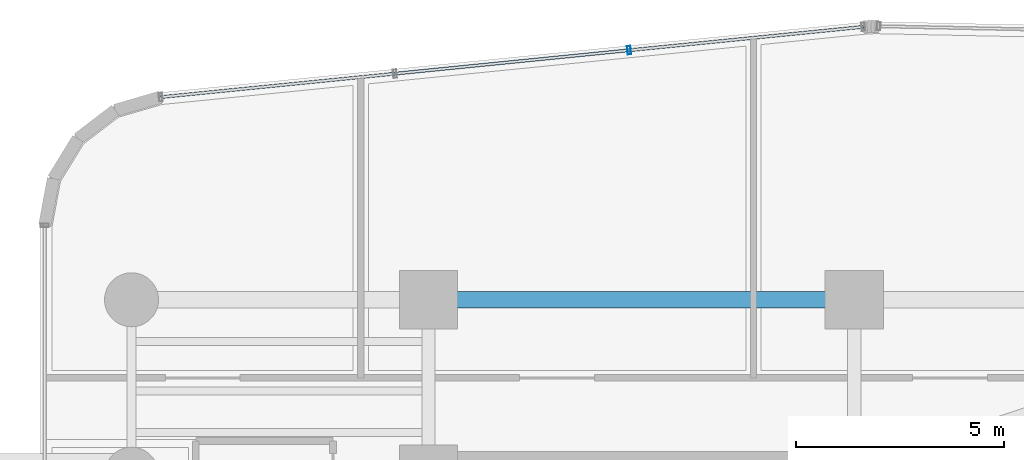
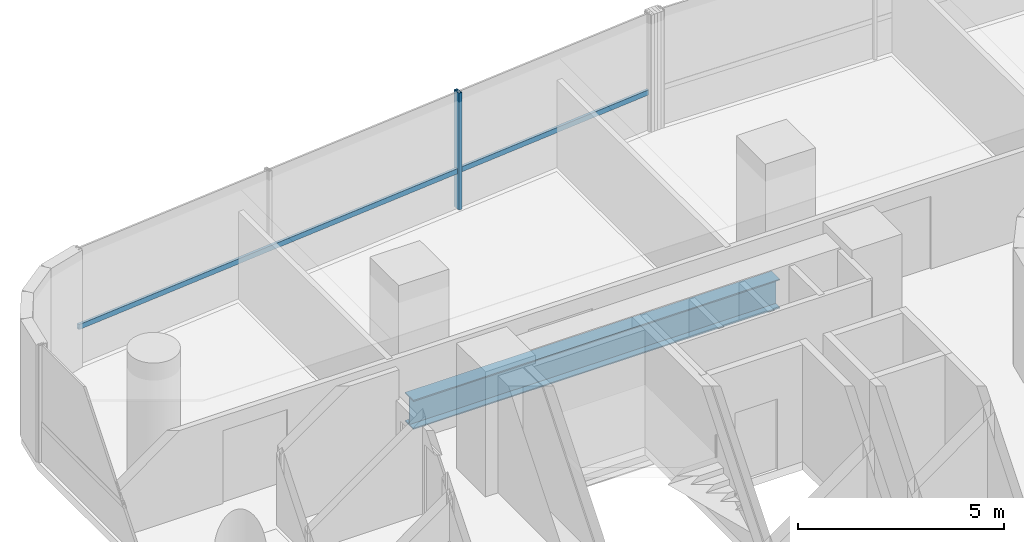
# One storey, part 18 of 39: 2 members, 1 beam, 1 element without a shape of its own.
"""IFC4 building model written with IfcOpenShell, lengths in metres."""

from ifc_helpers import new_model, si_unit, direction, frame, origin, origin_2d, place, context, subcontext, project, spatial, hollow_rectangle, i_section, extrude, source, transform, mapped, material, material_profile, profile_set, type_object, element, aggregate, save


model = new_model("IFC4")

# Units and contexts
model_context = context("Model", 3, precision=1e-05, world=origin(), true_north=direction((0.0, 1.0)))
body_context = subcontext(model_context, "Body", "Model", "MODEL_VIEW")
ifc_project = project(units=[si_unit("LENGTHUNIT", "METRE"), si_unit("AREAUNIT", "SQUARE_METRE"), si_unit("VOLUMEUNIT", "CUBIC_METRE"), si_unit("PLANEANGLEUNIT", "RADIAN"), si_unit("MASSUNIT", "GRAM", prefix="KILO")], contexts=[model_context])

# Site, building, storey
site_placement = place(None, origin())
site = spatial("IfcSite", under=ifc_project, at=site_placement, CompositionType="ELEMENT")
building_placement = place(site_placement, origin())
building = spatial("IfcBuilding", under=site, at=building_placement, Name="Valdorenza Pilgrim Sanctuary Tower", CompositionType="ELEMENT")
storey_placement = place(building_placement, frame((0.0, 0.0, 77.800048828125)))
storey = spatial("IfcBuildingStorey", under=building, at=storey_placement, Name="L19", CompositionType="ELEMENT", Elevation=77.800048828125)

# Beam
ifc_material_1 = material(Name="Steel ASTM A992 Grade 50", Category="steel")
ifc_material_profile_1 = material_profile(ifc_material_1, i_section(OverallWidth=0.39990234375, OverallDepth=0.862060546875, WebThickness=0.019775390625, FlangeThickness=0.032470703125, at=origin_2d()), Name="W33X221")
ifc_profile_set_1 = profile_set([ifc_material_profile_1], Name="Steel ASTM A992 Grade 50")
beam_type = type_object("IfcBeamType", Name="STR-BM-GRD-W33", PredefinedType="BEAM", material=ifc_profile_set_1)
shared_shape_1 = source(origin(), body_context, "Body", "SweptSolid", [
    extrude(i_section(OverallWidth=0.39990234375, OverallDepth=0.862060546875, WebThickness=0.019775390625, FlangeThickness=0.032470703125, at=origin_2d()), origin(), (0.0, 0.0, 1.0), 10.25),
])
beam_placement = place(storey_placement, frame((-22.64990234375, 14.800048828125, -0.671142578125), z_axis=(1.0, 0.0, 0.0), x_axis=(0.0, 1.0, 0.0)))
element("IfcBeam", 1, at=beam_placement, inside=storey, type_object=beam_type, Name="L19 Floor Girder CA-XC-N2", PredefinedType="BEAM", context=body_context, shape_type="MappedRepresentation", body=[
    mapped(shared_shape_1, transform((0.0, 0.0, 0.0), x_axis=(1.0, 0.0, 0.0), y_axis=(0.0, 1.0, 0.0), z_axis=(0.0, 0.0, 1.0), scale=1.0)),
])

# Curtain wall, members
ifc_material_2 = material(Name="Curtain-wall IGU glazing", Category="glass")
curtain_wall_type = type_object("IfcCurtainWallType", Name="CW-SYS-02", PredefinedType="NOTDEFINED", material=ifc_material_2)
curtain_wall_placement = place(storey_placement, origin())
curtain_wall = element("IfcCurtainWall", 2, at=curtain_wall_placement, inside=storey, type_object=curtain_wall_type, Name="L19 Curtain Wall CW-L19-1-6", PredefinedType="NOTDEFINED")
ifc_material_3 = material(Name="Anodised aluminium AW-6060", Category="aluminium")
ifc_material_profile_2 = material_profile(ifc_material_3, hollow_rectangle(XDim=0.0849609375, YDim=0.199951171875, WallThickness=0.0048828125, at=origin_2d()), Name="ALU-M 200x85x5")
ifc_profile_set_2 = profile_set([ifc_material_profile_2], Name="Anodised aluminium AW-6060")
member_type_1 = type_object("IfcMemberType", Name="CW-MUL-02", PredefinedType="MULLION", material=ifc_profile_set_2)
shared_shape_2 = source(origin(), body_context, "Body", "SweptSolid", [
    extrude(hollow_rectangle(XDim=0.0849609375, YDim=0.199951171875, WallThickness=0.0048828125, at=origin_2d()), origin(), (0.0, 0.0, 1.0), 3.4599609375),
])
member_1_placement = place(storey_placement, frame((-17.820556640625, 20.8076171875, 0.0), z_axis=(0.0, 0.0, 1.0), x_axis=(0.995038220239, 0.099493418189, 0.0)))
member_1 = element("IfcMember", 3, at=member_1_placement, type_object=member_type_1, Name="CW-L19-1-6 Mullion 3", PredefinedType="MULLION", context=body_context, shape_type="MappedRepresentation", body=[
    mapped(shared_shape_2, transform((0.0, 0.0, 0.0), x_axis=(1.0, 0.0, 0.0), y_axis=(0.0, 1.0, 0.0), z_axis=(0.0, 0.0, 1.0), scale=1.0)),
])
ifc_material_profile_3 = material_profile(ifc_material_3, hollow_rectangle(XDim=0.074951171875, YDim=0.14990234375, WallThickness=0.00390625, at=origin_2d()), Name="ALU-T 150x75x4")
ifc_profile_set_3 = profile_set([ifc_material_profile_3], Name="Anodised aluminium AW-6060")
member_type_2 = type_object("IfcMemberType", Name="CW-TRN-02", PredefinedType="USERDEFINED", material=ifc_profile_set_3)
shared_shape_3 = source(origin(), body_context, "Body", "SweptSolid", [
    extrude(hollow_rectangle(XDim=0.074951171875, YDim=0.14990234375, WallThickness=0.00390625, at=origin_2d()), origin(), (0.0, 0.0, 1.0), 17.0),
])
member_2_placement = place(storey_placement, frame((-29.097412109375, 19.6796875, 1.119873046875), z_axis=(0.99503662143, 0.099509406661, 0.0), x_axis=(-0.099509406661, 0.99503662143, 0.0)))
member_2 = element("IfcMember", 4, at=member_2_placement, type_object=member_type_2, Name="CW-L19-1-6 Transom 1", ObjectType="TRANSOM", PredefinedType="USERDEFINED", context=body_context, shape_type="MappedRepresentation", body=[
    mapped(shared_shape_3, transform((0.0, 0.0, 0.0), x_axis=(1.0, 0.0, 0.0), y_axis=(0.0, 1.0, 0.0), z_axis=(0.0, 0.0, 1.0), scale=1.0)),
])
aggregate(curtain_wall, [member_1, member_2])

save(model, "model.ifc")
